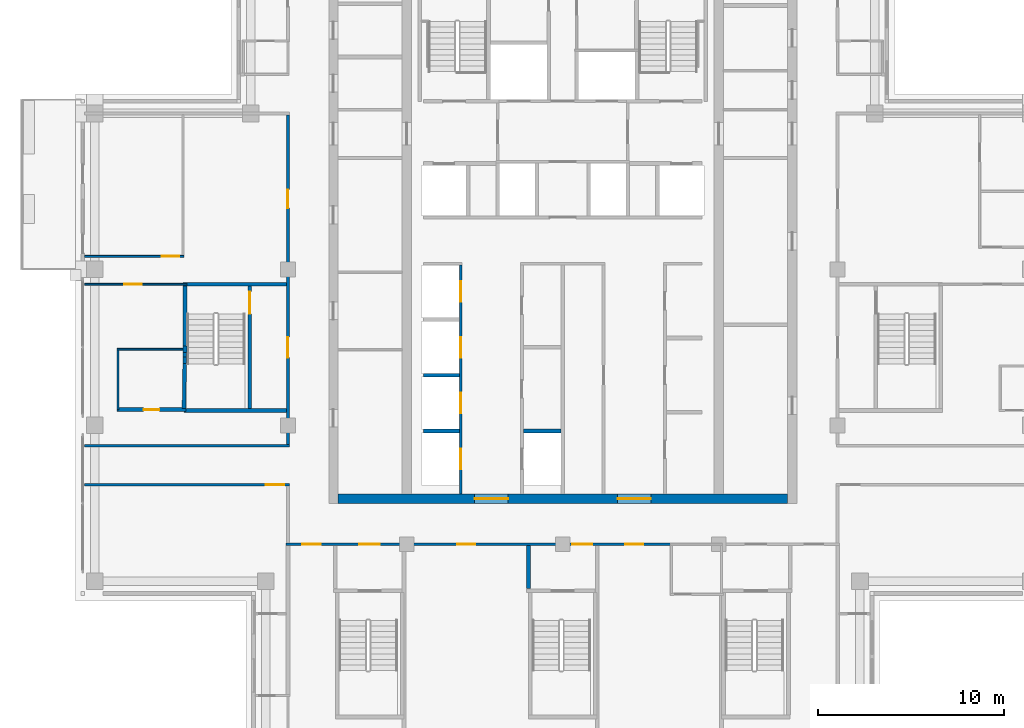
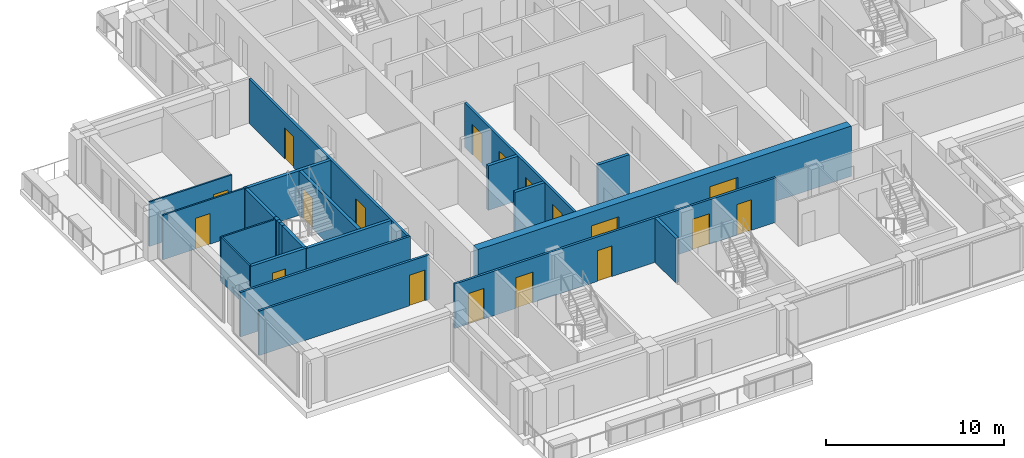
# One storey, part 7 of 15: 23 walls, 18 doors, 18 openings.
"""IFC4 building model written with IfcOpenShell, lengths in metres."""

from ifc_helpers import new_model, si_unit, direction, frame, frame_2d, origin, place, context, subcontext, project, spatial, rectangle, extrude, material, layer, layer_set, type_object, element, fill, save


model = new_model("IFC4")

# Units and contexts
model_context = context("Model", 3, precision=1e-05, world=origin(), true_north=direction((0.0, 1.0)))
body_context = subcontext(model_context, "Body", "Model", "MODEL_VIEW")
ifc_project = project(units=[si_unit("LENGTHUNIT", "METRE"), si_unit("AREAUNIT", "SQUARE_METRE"), si_unit("VOLUMEUNIT", "CUBIC_METRE"), si_unit("PLANEANGLEUNIT", "RADIAN"), si_unit("MASSUNIT", "GRAM", prefix="KILO")], contexts=[model_context])

# Site, building, storey
site_placement = place(None, origin())
site = spatial("IfcSite", under=ifc_project, at=site_placement, CompositionType="ELEMENT")
building_placement = place(site_placement, origin())
building = spatial("IfcBuilding", under=site, at=building_placement, Name="Vermilion Ogive Tower", CompositionType="ELEMENT")
storey_placement = place(building_placement, frame((0.0, 0.0, 237.25)))
storey = spatial("IfcBuildingStorey", under=building, at=storey_placement, Name="L62", CompositionType="ELEMENT", Elevation=237.25)

# Wall, openings, doors
ifc_material_1 = material(Name="Concrete B60", Category="concrete")
ifc_layer_1 = layer(ifc_material_1, 0.5)
ifc_layer_set_1 = layer_set([ifc_layer_1], Name="Core wall 500 B60")
wall_type_1 = type_object("IfcWallType", Name="Core wall 500 B60", PredefinedType="SHEAR", material=ifc_layer_set_1)
wall_1_placement = place(storey_placement, frame((-12.10009765625, -8.14990234375, -0.39990234375), z_axis=(0.0, 0.0, 1.0), x_axis=(1.0, 0.0, 0.0)))
wall_1 = element("IfcWall", 1, at=wall_1_placement, inside=storey, type_object=wall_type_1, Name="L62-CORE-S", PredefinedType="SHEAR", context=body_context, shape_type="SweptSolid", body=[
    extrude(rectangle(XDim=24.2001953125, YDim=0.5, at=frame_2d((12.10009765625, 0.0))), origin(), (0.0, 0.0, 1.0), 3.449951171875),
])
opening_1_placement = place(wall_1_placement, frame((7.35009765625, 0.0, 0.39990234375)))
opening_1 = element("IfcOpeningElement", 2, at=opening_1_placement, cuts=wall_1, Name="Opening DAH049", PredefinedType="OPENING", context=body_context, shape_type="SweptSolid", body=[
    extrude(rectangle(XDim=1.800048828125, YDim=2.10009765625, at=frame_2d((0.89990234375, 1.050048828125))), frame((0.0, 0.260009765625, 0.0), z_axis=(0.0, -1.0, 0.0), x_axis=(1.0, 0.0, 0.0)), (0.0, 0.0, 1.0), 0.52001953125),
])
opening_2_placement = place(wall_1_placement, frame((15.050048828125, 0.0, 0.39990234375)))
opening_2 = element("IfcOpeningElement", 3, at=opening_2_placement, cuts=wall_1, Name="Opening DAH050", PredefinedType="OPENING", context=body_context, shape_type="SweptSolid", body=[
    extrude(rectangle(XDim=1.800048828125, YDim=2.10009765625, at=frame_2d((0.89990234375, 1.050048828125))), frame((0.0, 0.260009765625, 0.0), z_axis=(0.0, -1.0, 0.0), x_axis=(1.0, 0.0, 0.0)), (0.0, 0.0, 1.0), 0.52001953125),
])
ifc_material_2 = material(Name="Timber door leaf", Category="wood")
door_type_1 = type_object("IfcDoorType", Name="Core entry door 1800 x 2100 FD60S", OperationType="DOUBLE_DOOR_SINGLE_SWING", PredefinedType="DOOR", material=ifc_material_2)
door_1_placement = place(opening_1_placement, origin())
door_1 = element("IfcDoor", 4, at=door_1_placement, inside=storey, type_object=door_type_1, Name="L62-CK-XD1", OperationType="SINGLE_SWING_LEFT", OverallHeight=2.10009765625, OverallWidth=1.800048828125, PredefinedType="DOOR", context=body_context, shape_type="SweptSolid", body=[
    extrude(rectangle(XDim=1.800048828125, YDim=2.10009765625, at=frame_2d((0.89990234375, 1.050048828125))), frame((0.0, 0.02490234375, 0.0), z_axis=(0.0, -1.0, 0.0), x_axis=(1.0, 0.0, 0.0)), (0.0, 0.0, 1.0), 0.050048828125),
])
fill(opening_1, door_1)
door_2_placement = place(opening_2_placement, origin())
door_2 = element("IfcDoor", 5, at=door_2_placement, inside=storey, type_object=door_type_1, Name="L62-CK-XD2", OperationType="SINGLE_SWING_LEFT", OverallHeight=2.10009765625, OverallWidth=1.800048828125, PredefinedType="DOOR", context=body_context, shape_type="SweptSolid", body=[
    extrude(rectangle(XDim=1.800048828125, YDim=2.10009765625, at=frame_2d((0.89990234375, 1.050048828125))), frame((0.0, 0.02490234375, 0.0), z_axis=(0.0, -1.0, 0.0), x_axis=(1.0, 0.0, 0.0)), (0.0, 0.0, 1.0), 0.050048828125),
])
fill(opening_2, door_2)

# Walls
ifc_material_3 = material(Name="Gypsum board partition on steel studs", Category="steel")
ifc_layer_2 = layer(ifc_material_3, 0.10009765625)
ifc_layer_set_2 = layer_set([ifc_layer_2], Name="Partition 100 bath")
wall_type_2 = type_object("IfcWallType", Name="Partition 100 bath", PredefinedType="PARTITIONING", material=ifc_layer_set_2)
wall_2_placement = place(storey_placement, frame((-23.998046875, -0.10009765625, 0.0), z_axis=(0.0, 0.0, 1.0), x_axis=(1.0, 0.0, 0.0)))
element("IfcWall", 6, at=wall_2_placement, inside=storey, type_object=wall_type_2, Name="L62-W-W024", PredefinedType="PARTITIONING", context=body_context, shape_type="SweptSolid", body=[
    extrude(rectangle(XDim=3.548095703125, YDim=0.10009765625, at=frame_2d((1.77392578125, 0.0))), origin(), (0.0, 0.0, 1.0), 3.050048828125),
])
wall_3_placement = place(storey_placement, frame((-23.949951171875, -3.347900390625, 0.0), z_axis=(0.0, 0.0, 1.0), x_axis=(0.0, 1.0, 0.0)))
element("IfcWall", 7, at=wall_3_placement, inside=storey, type_object=wall_type_2, Name="L62-W-W040", PredefinedType="PARTITIONING", context=body_context, shape_type="SweptSolid", body=[
    extrude(rectangle(XDim=3.19580078125, YDim=0.10009765625, at=frame_2d((1.597900390625, 0.0))), origin(), (0.0, 0.0, 1.0), 3.050048828125),
])

# Wall, opening, door
ifc_material_4 = material(Name="Gypsum board partition on steel studs", Category="steel")
ifc_layer_3 = layer(ifc_material_4, 0.10009765625)
ifc_layer_set_3 = layer_set([ifc_layer_3], Name="Partition 100 inner")
wall_type_3 = type_object("IfcWallType", Name="Partition 100 inner", PredefinedType="PARTITIONING", material=ifc_layer_set_3)
wall_4_placement = place(storey_placement, frame((-25.75, 3.39990234375, 0.0), z_axis=(0.0, 0.0, 1.0), x_axis=(1.0, 0.0, 0.0)))
wall_4 = element("IfcWall", 8, at=wall_4_placement, inside=storey, type_object=wall_type_3, Name="L62-W-W025", PredefinedType="PARTITIONING", context=body_context, shape_type="SweptSolid", body=[
    extrude(rectangle(XDim=5.5, YDim=0.10009765625, at=frame_2d((2.75, 0.0))), origin(), (0.0, 0.0, 1.0), 3.050048828125),
])
opening_3_placement = place(wall_4_placement, frame((2.125, 0.0, 0.0)))
opening_3 = element("IfcOpeningElement", 9, at=opening_3_placement, cuts=wall_4, Name="Opening D5G2006", PredefinedType="OPENING", context=body_context, shape_type="SweptSolid", body=[
    extrude(rectangle(XDim=0.949951171875, YDim=2.10009765625, at=frame_2d((0.47509765625, 1.050048828125))), frame((0.0, 0.06005859375, 0.0), z_axis=(0.0, -1.0, 0.0), x_axis=(1.0, 0.0, 0.0)), (0.0, 0.0, 1.0), 0.1201171875),
])
ifc_material_5 = material(Name="Timber door leaf", Category="wood")
door_type_2 = type_object("IfcDoorType", Name="Inner door 950 x 2100 FD30", OperationType="SINGLE_SWING_LEFT", PredefinedType="DOOR", material=ifc_material_5)
door_3_placement = place(opening_3_placement, origin())
door_3 = element("IfcDoor", 10, at=door_3_placement, inside=storey, type_object=door_type_2, Name="L62-D-D006", OperationType="SINGLE_SWING_LEFT", OverallHeight=2.10009765625, OverallWidth=0.949951171875, PredefinedType="DOOR", context=body_context, shape_type="SweptSolid", body=[
    extrude(rectangle(XDim=0.949951171875, YDim=2.10009765625, at=frame_2d((0.47509765625, 1.050048828125))), frame((0.0, 0.02490234375, 0.0), z_axis=(0.0, -1.0, 0.0), x_axis=(1.0, 0.0, 0.0)), (0.0, 0.0, 1.0), 0.050048828125),
])
fill(opening_3, door_3)

wall_5_placement = place(storey_placement, frame((-25.75, 4.89990234375, 0.0), z_axis=(0.0, 0.0, 1.0), x_axis=(1.0, 0.0, 0.0)))
wall_5 = element("IfcWall", 11, at=wall_5_placement, inside=storey, type_object=wall_type_3, Name="L62-W-W029", PredefinedType="PARTITIONING", context=body_context, shape_type="SweptSolid", body=[
    extrude(rectangle(XDim=5.35009765625, YDim=0.10009765625, at=frame_2d((2.675048828125, 0.0))), origin(), (0.0, 0.0, 1.0), 3.050048828125),
])
opening_4_placement = place(wall_5_placement, frame((4.14990234375, 0.0, 0.0)))
opening_4 = element("IfcOpeningElement", 12, at=opening_4_placement, cuts=wall_5, Name="Opening D5G2004", PredefinedType="OPENING", context=body_context, shape_type="SweptSolid", body=[
    extrude(rectangle(XDim=0.949951171875, YDim=2.10009765625, at=frame_2d((0.47509765625, 1.050048828125))), frame((0.0, 0.06005859375, 0.0), z_axis=(0.0, -1.0, 0.0), x_axis=(1.0, 0.0, 0.0)), (0.0, 0.0, 1.0), 0.1201171875),
])
door_4_placement = place(opening_4_placement, origin())
door_4 = element("IfcDoor", 13, at=door_4_placement, inside=storey, type_object=door_type_2, Name="L62-D-D004", OperationType="SINGLE_SWING_LEFT", OverallHeight=2.10009765625, OverallWidth=0.949951171875, PredefinedType="DOOR", context=body_context, shape_type="SweptSolid", body=[
    extrude(rectangle(XDim=0.949951171875, YDim=2.10009765625, at=frame_2d((0.47509765625, 1.050048828125))), frame((0.0, 0.02490234375, 0.0), z_axis=(0.0, -1.0, 0.0), x_axis=(1.0, 0.0, 0.0)), (0.0, 0.0, 1.0), 0.050048828125),
])
fill(opening_4, door_4)

# Wall, openings, doors
ifc_material_6 = material(Name="Gypsum board partition on steel studs", Category="steel")
ifc_layer_4 = layer(ifc_material_6, 0.14990234375)
ifc_layer_set_4 = layer_set([ifc_layer_4], Name="Partition 150 corridor")
wall_type_4 = type_object("IfcWallType", Name="Partition 150 corridor", PredefinedType="PARTITIONING", material=ifc_layer_set_4)
wall_6_placement = place(storey_placement, frame((-14.89990234375, -10.60009765625, 0.0), z_axis=(0.0, 0.0, 1.0), x_axis=(1.0, 0.0, 0.0)))
wall_6 = element("IfcWall", 14, at=wall_6_placement, inside=storey, type_object=wall_type_4, Name="L62-W-W012", PredefinedType="PARTITIONING", context=body_context, shape_type="SweptSolid", body=[
    extrude(rectangle(XDim=20.7998046875, YDim=0.14990234375, at=frame_2d((10.39990234375, 0.0))), origin(), (0.0, 0.0, 1.0), 3.050048828125),
])
opening_5_placement = place(wall_6_placement, frame((9.224853515625, 0.0, 0.0)))
opening_5 = element("IfcOpeningElement", 15, at=opening_5_placement, cuts=wall_6, Name="Opening D5G2010", PredefinedType="OPENING", context=body_context, shape_type="SweptSolid", body=[
    extrude(rectangle(XDim=0.949951171875, YDim=2.10009765625, at=frame_2d((0.47509765625, 1.050048828125))), frame((0.0, 0.0849609375, 0.0), z_axis=(0.0, -1.0, 0.0), x_axis=(1.0, 0.0, 0.0)), (0.0, 0.0, 1.0), 0.169921875),
])
opening_6_placement = place(wall_6_placement, frame((18.27490234375, 0.0, 0.0)))
opening_6 = element("IfcOpeningElement", 16, at=opening_6_placement, cuts=wall_6, Name="Opening D5G2011", PredefinedType="OPENING", context=body_context, shape_type="SweptSolid", body=[
    extrude(rectangle(XDim=0.949951171875, YDim=2.10009765625, at=frame_2d((0.47509765625, 1.050048828125))), frame((0.0, 0.0849609375, 0.0), z_axis=(0.0, -1.0, 0.0), x_axis=(1.0, 0.0, 0.0)), (0.0, 0.0, 1.0), 0.169921875),
])
opening_7_placement = place(wall_6_placement, frame((3.949951171875, 0.0, 0.0)))
opening_7 = element("IfcOpeningElement", 17, at=opening_7_placement, cuts=wall_6, Name="Opening D5G2023", PredefinedType="OPENING", context=body_context, shape_type="SweptSolid", body=[
    extrude(rectangle(XDim=1.10009765625, YDim=2.10009765625, at=frame_2d((0.550048828125, 1.050048828125))), frame((0.0, 0.0849609375, 0.0), z_axis=(0.0, -1.0, 0.0), x_axis=(1.0, 0.0, 0.0)), (0.0, 0.0, 1.0), 0.169921875),
])
opening_8_placement = place(wall_6_placement, frame((15.39990234375, 0.0, 0.0)))
opening_8 = element("IfcOpeningElement", 18, at=opening_8_placement, cuts=wall_6, Name="Opening D5G2025", PredefinedType="OPENING", context=body_context, shape_type="SweptSolid", body=[
    extrude(rectangle(XDim=1.10009765625, YDim=2.10009765625, at=frame_2d((0.550048828125, 1.050048828125))), frame((0.0, 0.0849609375, 0.0), z_axis=(0.0, -1.0, 0.0), x_axis=(1.0, 0.0, 0.0)), (0.0, 0.0, 1.0), 0.169921875),
])
opening_9_placement = place(wall_6_placement, frame((0.875, 0.0, 0.0)))
opening_9 = element("IfcOpeningElement", 19, at=opening_9_placement, cuts=wall_6, Name="Opening D5G2033", PredefinedType="OPENING", context=body_context, shape_type="SweptSolid", body=[
    extrude(rectangle(XDim=1.0, YDim=2.10009765625, at=frame_2d((0.5, 1.050048828125))), frame((0.0, 0.0849609375, 0.0), z_axis=(0.0, -1.0, 0.0), x_axis=(1.0, 0.0, 0.0)), (0.0, 0.0, 1.0), 0.169921875),
])
ifc_material_7 = material(Name="Timber door leaf", Category="wood")
door_type_3 = type_object("IfcDoorType", Name="Stair door 1100 x 2100 FD60S", OperationType="SINGLE_SWING_LEFT", PredefinedType="DOOR", material=ifc_material_7)
door_5_placement = place(opening_7_placement, origin())
door_5 = element("IfcDoor", 20, at=door_5_placement, inside=storey, type_object=door_type_3, Name="L62-D-D023", OperationType="SINGLE_SWING_RIGHT", OverallHeight=2.10009765625, OverallWidth=1.10009765625, PredefinedType="DOOR", context=body_context, shape_type="SweptSolid", body=[
    extrude(rectangle(XDim=1.10009765625, YDim=2.10009765625, at=frame_2d((0.550048828125, 1.050048828125))), frame((0.0, 0.02490234375, 0.0), z_axis=(0.0, -1.0, 0.0), x_axis=(1.0, 0.0, 0.0)), (0.0, 0.0, 1.0), 0.050048828125),
])
fill(opening_7, door_5)
door_6_placement = place(opening_8_placement, origin())
door_6 = element("IfcDoor", 21, at=door_6_placement, inside=storey, type_object=door_type_3, Name="L62-D-D025", OperationType="SINGLE_SWING_LEFT", OverallHeight=2.10009765625, OverallWidth=1.10009765625, PredefinedType="DOOR", context=body_context, shape_type="SweptSolid", body=[
    extrude(rectangle(XDim=1.10009765625, YDim=2.10009765625, at=frame_2d((0.550048828125, 1.050048828125))), frame((0.0, 0.02490234375, 0.0), z_axis=(0.0, -1.0, 0.0), x_axis=(1.0, 0.0, 0.0)), (0.0, 0.0, 1.0), 0.050048828125),
])
fill(opening_8, door_6)
ifc_material_8 = material(Name="Timber door leaf", Category="wood")
door_type_4 = type_object("IfcDoorType", Name="Unit door 1000 x 2100 FD30S", OperationType="SINGLE_SWING_LEFT", PredefinedType="DOOR", material=ifc_material_8)
door_7_placement = place(opening_9_placement, origin())
door_7 = element("IfcDoor", 22, at=door_7_placement, inside=storey, type_object=door_type_4, Name="L62-D-D033", OperationType="SINGLE_SWING_RIGHT", OverallHeight=2.10009765625, OverallWidth=1.0, PredefinedType="DOOR", context=body_context, shape_type="SweptSolid", body=[
    extrude(rectangle(XDim=1.0, YDim=2.10009765625, at=frame_2d((0.5, 1.050048828125))), frame((0.0, 0.02490234375, 0.0), z_axis=(0.0, -1.0, 0.0), x_axis=(1.0, 0.0, 0.0)), (0.0, 0.0, 1.0), 0.050048828125),
])
fill(opening_9, door_7)
ifc_material_9 = material(Name="Timber door leaf", Category="wood")
door_type_5 = type_object("IfcDoorType", Name="Unit door 950 x 2100 FD30S", OperationType="SINGLE_SWING_LEFT", PredefinedType="DOOR", material=ifc_material_9)
door_8_placement = place(opening_5_placement, origin())
door_8 = element("IfcDoor", 23, at=door_8_placement, inside=storey, type_object=door_type_5, Name="L62-D-D010", OperationType="SINGLE_SWING_LEFT", OverallHeight=2.10009765625, OverallWidth=0.949951171875, PredefinedType="DOOR", context=body_context, shape_type="SweptSolid", body=[
    extrude(rectangle(XDim=0.949951171875, YDim=2.10009765625, at=frame_2d((0.47509765625, 1.050048828125))), frame((0.0, 0.02490234375, 0.0), z_axis=(0.0, -1.0, 0.0), x_axis=(1.0, 0.0, 0.0)), (0.0, 0.0, 1.0), 0.050048828125),
])
fill(opening_5, door_8)
door_9_placement = place(opening_6_placement, origin())
door_9 = element("IfcDoor", 24, at=door_9_placement, inside=storey, type_object=door_type_5, Name="L62-D-D011", OperationType="SINGLE_SWING_LEFT", OverallHeight=2.10009765625, OverallWidth=0.949951171875, PredefinedType="DOOR", context=body_context, shape_type="SweptSolid", body=[
    extrude(rectangle(XDim=0.949951171875, YDim=2.10009765625, at=frame_2d((0.47509765625, 1.050048828125))), frame((0.0, 0.02490234375, 0.0), z_axis=(0.0, -1.0, 0.0), x_axis=(1.0, 0.0, 0.0)), (0.0, 0.0, 1.0), 0.050048828125),
])
fill(opening_6, door_9)

# Wall, opening, door
wall_7_placement = place(storey_placement, frame((-25.75, -7.39990234375, 0.0), z_axis=(0.0, 0.0, 1.0), x_axis=(1.0, 0.0, 0.0)))
wall_7 = element("IfcWall", 25, at=wall_7_placement, inside=storey, type_object=wall_type_4, Name="L62-W-W015", PredefinedType="PARTITIONING", context=body_context, shape_type="SweptSolid", body=[
    extrude(rectangle(XDim=11.02490234375, YDim=0.14990234375, at=frame_2d((5.512451171875, 0.0))), origin(), (0.0, 0.0, 1.0), 3.050048828125),
])
opening_10_placement = place(wall_7_placement, frame((9.75, 0.0, 0.0)))
opening_10 = element("IfcOpeningElement", 26, at=opening_10_placement, cuts=wall_7, Name="Opening D5G2001", PredefinedType="OPENING", context=body_context, shape_type="SweptSolid", body=[
    extrude(rectangle(XDim=1.0, YDim=2.10009765625, at=frame_2d((0.5, 1.050048828125))), frame((0.0, 0.0849609375, 0.0), z_axis=(0.0, -1.0, 0.0), x_axis=(1.0, 0.0, 0.0)), (0.0, 0.0, 1.0), 0.169921875),
])
door_10_placement = place(opening_10_placement, origin())
door_10 = element("IfcDoor", 27, at=door_10_placement, inside=storey, type_object=door_type_4, Name="L62-D-D001", OperationType="SINGLE_SWING_RIGHT", OverallHeight=2.10009765625, OverallWidth=1.0, PredefinedType="DOOR", context=body_context, shape_type="SweptSolid", body=[
    extrude(rectangle(XDim=1.0, YDim=2.10009765625, at=frame_2d((0.5, 1.050048828125))), frame((0.0, 0.02490234375, 0.0), z_axis=(0.0, -1.0, 0.0), x_axis=(1.0, 0.0, 0.0)), (0.0, 0.0, 1.0), 0.050048828125),
])
fill(opening_10, door_10)

# Wall
wall_8_placement = place(storey_placement, frame((-25.75, -5.300048828125, 0.0), z_axis=(0.0, 0.0, 1.0), x_axis=(1.0, 0.0, 0.0)))
element("IfcWall", 28, at=wall_8_placement, inside=storey, type_object=wall_type_4, Name="L62-W-W017", PredefinedType="PARTITIONING", context=body_context, shape_type="SweptSolid", body=[
    extrude(rectangle(XDim=11.02294921875, YDim=0.14990234375, at=frame_2d((5.511474609375, 0.0))), origin(), (0.0, 0.0, 1.0), 3.050048828125),
])

# Wall, openings, doors
wall_9_placement = place(storey_placement, frame((-14.800048828125, -5.222900390625, 0.0), z_axis=(0.0, 0.0, 1.0), x_axis=(0.0, 1.0, 0.0)))
wall_9 = element("IfcWall", 29, at=wall_9_placement, inside=storey, type_object=wall_type_4, Name="L62-W-W049", PredefinedType="PARTITIONING", context=body_context, shape_type="SweptSolid", body=[
    extrude(rectangle(XDim=17.747802734375, YDim=0.14990234375, at=frame_2d((8.8740234375, 0.0))), origin(), (0.0, 0.0, 1.0), 3.050048828125),
])
opening_11_placement = place(wall_9_placement, frame((12.722900390625, 0.0, 0.0)))
opening_11 = element("IfcOpeningElement", 30, at=opening_11_placement, cuts=wall_9, Name="Opening D5G2005", PredefinedType="OPENING", context=body_context, shape_type="SweptSolid", body=[
    extrude(rectangle(XDim=1.0, YDim=2.10009765625, at=frame_2d((0.5, 1.050048828125))), frame((0.0, 0.0849609375, 0.0), z_axis=(0.0, -1.0, 0.0), x_axis=(1.0, 0.0, 0.0)), (0.0, 0.0, 1.0), 0.169921875),
])
opening_12_placement = place(wall_9_placement, frame((4.6728515625, 0.0, 0.0)))
opening_12 = element("IfcOpeningElement", 31, at=opening_12_placement, cuts=wall_9, Name="Opening D5G2031", PredefinedType="OPENING", context=body_context, shape_type="SweptSolid", body=[
    extrude(rectangle(XDim=1.10009765625, YDim=2.10009765625, at=frame_2d((0.550048828125, 1.050048828125))), frame((0.0, 0.0849609375, 0.0), z_axis=(0.0, -1.0, 0.0), x_axis=(1.0, 0.0, 0.0)), (0.0, 0.0, 1.0), 0.169921875),
])
door_11_placement = place(opening_12_placement, origin())
door_11 = element("IfcDoor", 32, at=door_11_placement, inside=storey, type_object=door_type_3, Name="L62-D-D031", OperationType="SINGLE_SWING_LEFT", OverallHeight=2.10009765625, OverallWidth=1.10009765625, PredefinedType="DOOR", context=body_context, shape_type="SweptSolid", body=[
    extrude(rectangle(XDim=1.10009765625, YDim=2.10009765625, at=frame_2d((0.550048828125, 1.050048828125))), frame((0.0, 0.02490234375, 0.0), z_axis=(0.0, -1.0, 0.0), x_axis=(1.0, 0.0, 0.0)), (0.0, 0.0, 1.0), 0.050048828125),
])
fill(opening_12, door_11)
door_12_placement = place(opening_11_placement, origin())
door_12 = element("IfcDoor", 33, at=door_12_placement, inside=storey, type_object=door_type_4, Name="L62-D-D005", OperationType="SINGLE_SWING_RIGHT", OverallHeight=2.10009765625, OverallWidth=1.0, PredefinedType="DOOR", context=body_context, shape_type="SweptSolid", body=[
    extrude(rectangle(XDim=1.0, YDim=2.10009765625, at=frame_2d((0.5, 1.050048828125))), frame((0.0, 0.02490234375, 0.0), z_axis=(0.0, -1.0, 0.0), x_axis=(1.0, 0.0, 0.0)), (0.0, 0.0, 1.0), 0.050048828125),
])
fill(opening_11, door_12)

wall_10_placement = place(storey_placement, frame((-5.5, -7.89892578125, 0.0), z_axis=(0.0, 0.0, 1.0), x_axis=(0.0, 1.0, 0.0)))
wall_10 = element("IfcWall", 34, at=wall_10_placement, inside=storey, type_object=wall_type_4, Name="L62-CK-W-W020", PredefinedType="PARTITIONING", context=body_context, shape_type="SweptSolid", body=[
    extrude(rectangle(XDim=12.323974609375, YDim=0.14990234375, at=frame_2d((6.162109375, 0.0))), origin(), (0.0, 0.0, 1.0), 3.050048828125),
])
opening_13_placement = place(wall_10_placement, frame((1.348876953125, 0.0, 0.0)))
opening_13 = element("IfcOpeningElement", 35, at=opening_13_placement, cuts=wall_10, Name="Opening DAA576", PredefinedType="OPENING", context=body_context, shape_type="SweptSolid", body=[
    extrude(rectangle(XDim=1.10009765625, YDim=2.10009765625, at=frame_2d((0.550048828125, 1.050048828125))), frame((0.0, 0.0849609375, 0.0), z_axis=(0.0, -1.0, 0.0), x_axis=(1.0, 0.0, 0.0)), (0.0, 0.0, 1.0), 0.169921875),
])
opening_14_placement = place(wall_10_placement, frame((4.348876953125, 0.0, 0.0)))
opening_14 = element("IfcOpeningElement", 36, at=opening_14_placement, cuts=wall_10, Name="Opening DAA577", PredefinedType="OPENING", context=body_context, shape_type="SweptSolid", body=[
    extrude(rectangle(XDim=1.10009765625, YDim=2.10009765625, at=frame_2d((0.550048828125, 1.050048828125))), frame((0.0, 0.0849609375, 0.0), z_axis=(0.0, -1.0, 0.0), x_axis=(1.0, 0.0, 0.0)), (0.0, 0.0, 1.0), 0.169921875),
])
opening_15_placement = place(wall_10_placement, frame((7.348876953125, 0.0, 0.0)))
opening_15 = element("IfcOpeningElement", 37, at=opening_15_placement, cuts=wall_10, Name="Opening DAA578", PredefinedType="OPENING", context=body_context, shape_type="SweptSolid", body=[
    extrude(rectangle(XDim=1.10009765625, YDim=2.10009765625, at=frame_2d((0.550048828125, 1.050048828125))), frame((0.0, 0.0849609375, 0.0), z_axis=(0.0, -1.0, 0.0), x_axis=(1.0, 0.0, 0.0)), (0.0, 0.0, 1.0), 0.169921875),
])
opening_16_placement = place(wall_10_placement, frame((10.348876953125, 0.0, 0.0)))
opening_16 = element("IfcOpeningElement", 38, at=opening_16_placement, cuts=wall_10, Name="Opening DAA579", PredefinedType="OPENING", context=body_context, shape_type="SweptSolid", body=[
    extrude(rectangle(XDim=1.10009765625, YDim=2.10009765625, at=frame_2d((0.550048828125, 1.050048828125))), frame((0.0, 0.0849609375, 0.0), z_axis=(0.0, -1.0, 0.0), x_axis=(1.0, 0.0, 0.0)), (0.0, 0.0, 1.0), 0.169921875),
])
ifc_material_10 = material(Name="Stainless steel", Category="steel")
door_type_6 = type_object("IfcDoorType", Name="Lift landing door 1100 x 2100", OperationType="SLIDING_TO_LEFT", PredefinedType="DOOR", material=ifc_material_10)
door_13_placement = place(opening_13_placement, origin())
door_13 = element("IfcDoor", 39, at=door_13_placement, inside=storey, type_object=door_type_6, Name="L62-CK-D-D001", OperationType="SLIDING_TO_LEFT", OverallHeight=2.10009765625, OverallWidth=1.10009765625, PredefinedType="DOOR", context=body_context, shape_type="SweptSolid", body=[
    extrude(rectangle(XDim=1.10009765625, YDim=2.10009765625, at=frame_2d((0.550048828125, 1.050048828125))), frame((0.0, 0.02490234375, 0.0), z_axis=(0.0, -1.0, 0.0), x_axis=(1.0, 0.0, 0.0)), (0.0, 0.0, 1.0), 0.050048828125),
])
fill(opening_13, door_13)
door_14_placement = place(opening_14_placement, origin())
door_14 = element("IfcDoor", 40, at=door_14_placement, inside=storey, type_object=door_type_6, Name="L62-CK-D-D002", OperationType="SLIDING_TO_LEFT", OverallHeight=2.10009765625, OverallWidth=1.10009765625, PredefinedType="DOOR", context=body_context, shape_type="SweptSolid", body=[
    extrude(rectangle(XDim=1.10009765625, YDim=2.10009765625, at=frame_2d((0.550048828125, 1.050048828125))), frame((0.0, 0.02490234375, 0.0), z_axis=(0.0, -1.0, 0.0), x_axis=(1.0, 0.0, 0.0)), (0.0, 0.0, 1.0), 0.050048828125),
])
fill(opening_14, door_14)
door_15_placement = place(opening_15_placement, origin())
door_15 = element("IfcDoor", 41, at=door_15_placement, inside=storey, type_object=door_type_6, Name="L62-CK-D-D003", OperationType="SLIDING_TO_LEFT", OverallHeight=2.10009765625, OverallWidth=1.10009765625, PredefinedType="DOOR", context=body_context, shape_type="SweptSolid", body=[
    extrude(rectangle(XDim=1.10009765625, YDim=2.10009765625, at=frame_2d((0.550048828125, 1.050048828125))), frame((0.0, 0.02490234375, 0.0), z_axis=(0.0, -1.0, 0.0), x_axis=(1.0, 0.0, 0.0)), (0.0, 0.0, 1.0), 0.050048828125),
])
fill(opening_15, door_15)
door_16_placement = place(opening_16_placement, origin())
door_16 = element("IfcDoor", 42, at=door_16_placement, inside=storey, type_object=door_type_6, Name="L62-CK-D-D004", OperationType="SLIDING_TO_LEFT", OverallHeight=2.10009765625, OverallWidth=1.10009765625, PredefinedType="DOOR", context=body_context, shape_type="SweptSolid", body=[
    extrude(rectangle(XDim=1.10009765625, YDim=2.10009765625, at=frame_2d((0.550048828125, 1.050048828125))), frame((0.0, 0.02490234375, 0.0), z_axis=(0.0, -1.0, 0.0), x_axis=(1.0, 0.0, 0.0)), (0.0, 0.0, 1.0), 0.050048828125),
])
fill(opening_16, door_16)

# Walls
ifc_material_11 = material(Name="Gypsum board partition on steel studs", Category="steel")
ifc_layer_5 = layer(ifc_material_11, 0.199951171875)
ifc_layer_set_5 = layer_set([ifc_layer_5], Name="Partition 200 party")
wall_type_5 = type_object("IfcWallType", Name="Partition 200 party", PredefinedType="PARTITIONING", material=ifc_layer_set_5)
wall_11_placement = place(storey_placement, frame((-1.85009765625, -12.998046875, 0.0), z_axis=(0.0, 0.0, 1.0), x_axis=(0.0, 1.0, 0.0)))
element("IfcWall", 43, at=wall_11_placement, inside=storey, type_object=wall_type_5, Name="L62-W-W056", PredefinedType="PARTITIONING", context=body_context, shape_type="SweptSolid", body=[
    extrude(rectangle(XDim=2.322998046875, YDim=0.199951171875, at=frame_2d((1.16162109375, 0.0))), origin(), (0.0, 0.0, 1.0), 3.050048828125),
])
wall_12_placement = place(storey_placement, frame((-7.5, -4.5, 0.0), z_axis=(0.0, 0.0, 1.0), x_axis=(1.0, 0.0, 0.0)))
element("IfcWall", 44, at=wall_12_placement, inside=storey, type_object=wall_type_5, Name="L62-CK-W-W001", PredefinedType="PARTITIONING", context=body_context, shape_type="SweptSolid", body=[
    extrude(rectangle(XDim=1.925048828125, YDim=0.199951171875, at=frame_2d((0.96240234375, 0.0))), origin(), (0.0, 0.0, 1.0), 3.050048828125),
])
wall_13_placement = place(storey_placement, frame((-2.125, -4.5, 0.0), z_axis=(0.0, 0.0, 1.0), x_axis=(1.0, 0.0, 0.0)))
element("IfcWall", 45, at=wall_13_placement, inside=storey, type_object=wall_type_5, Name="L62-CK-W-W002", PredefinedType="PARTITIONING", context=body_context, shape_type="SweptSolid", body=[
    extrude(rectangle(XDim=2.02490234375, YDim=0.199951171875, at=frame_2d((1.012451171875, 0.0))), origin(), (0.0, 0.0, 1.0), 3.050048828125),
])
wall_14_placement = place(storey_placement, frame((-7.5, -1.5, 0.0), z_axis=(0.0, 0.0, 1.0), x_axis=(1.0, 0.0, 0.0)))
element("IfcWall", 46, at=wall_14_placement, inside=storey, type_object=wall_type_5, Name="L62-CK-W-W004", PredefinedType="PARTITIONING", context=body_context, shape_type="SweptSolid", body=[
    extrude(rectangle(XDim=1.925048828125, YDim=0.199951171875, at=frame_2d((0.96240234375, 0.0))), origin(), (0.0, 0.0, 1.0), 3.050048828125),
])

# Wall, opening, door
ifc_material_12 = material(Name="Concrete B60", Category="concrete")
ifc_layer_6 = layer(ifc_material_12, 0.199951171875)
ifc_layer_set_6 = layer_set([ifc_layer_6], Name="Stair shaft wall 200 Concrete B60")
wall_type_6 = type_object("IfcWallType", Name="Stair shaft wall 200 Concrete B60", PredefinedType="SOLIDWALL", material=ifc_layer_set_6)
wall_15_placement = place(storey_placement, frame((-23.998046875, -3.349853515625, 0.0), z_axis=(0.0, 0.0, 1.0), x_axis=(1.0, 0.0, 0.0)))
wall_15 = element("IfcWall", 47, at=wall_15_placement, inside=storey, type_object=wall_type_6, Name="L62-W-W019", PredefinedType="SOLIDWALL", context=body_context, shape_type="SweptSolid", body=[
    extrude(rectangle(XDim=3.697998046875, YDim=0.199951171875, at=frame_2d((1.84912109375, 0.0))), origin(), (0.0, 0.0, 1.0), 3.050048828125),
])
opening_17_placement = place(wall_15_placement, frame((1.423095703125, 0.0, 0.0)))
opening_17 = element("IfcOpeningElement", 48, at=opening_17_placement, cuts=wall_15, Name="Opening D5G2007", PredefinedType="OPENING", context=body_context, shape_type="SweptSolid", body=[
    extrude(rectangle(XDim=0.85009765625, YDim=2.10009765625, at=frame_2d((0.425048828125, 1.050048828125))), frame((0.0, 0.10986328125, 0.0), z_axis=(0.0, -1.0, 0.0), x_axis=(1.0, 0.0, 0.0)), (0.0, 0.0, 1.0), 0.219970703125),
])
ifc_material_13 = material(Name="Timber door leaf", Category="wood")
door_type_7 = type_object("IfcDoorType", Name="Bath door 850 x 2100 FD30", OperationType="SINGLE_SWING_LEFT", PredefinedType="DOOR", material=ifc_material_13)
door_17_placement = place(opening_17_placement, origin())
door_17 = element("IfcDoor", 49, at=door_17_placement, inside=storey, type_object=door_type_7, Name="L62-D-D007", OperationType="SINGLE_SWING_LEFT", OverallHeight=2.10009765625, OverallWidth=0.85009765625, PredefinedType="DOOR", context=body_context, shape_type="SweptSolid", body=[
    extrude(rectangle(XDim=0.85009765625, YDim=2.10009765625, at=frame_2d((0.425048828125, 1.050048828125))), frame((0.0, 0.02490234375, 0.0), z_axis=(0.0, -1.0, 0.0), x_axis=(1.0, 0.0, 0.0)), (0.0, 0.0, 1.0), 0.050048828125),
])
fill(opening_17, door_17)

# Walls
wall_16_placement = place(storey_placement, frame((-20.39990234375, -3.39990234375, 0.0), z_axis=(0.0, 0.0, 1.0), x_axis=(1.0, 0.0, 0.0)))
element("IfcWall", 50, at=wall_16_placement, inside=storey, type_object=wall_type_6, Name="L62-W-W020", PredefinedType="SOLIDWALL", context=body_context, shape_type="SweptSolid", body=[
    extrude(rectangle(XDim=5.52294921875, YDim=0.199951171875, at=frame_2d((2.761474609375, 0.0))), origin(), (0.0, 0.0, 1.0), 3.050048828125),
])
wall_17_placement = place(storey_placement, frame((-20.449951171875, 3.39990234375, 0.0), z_axis=(0.0, 0.0, 1.0), x_axis=(1.0, 0.0, 0.0)))
element("IfcWall", 51, at=wall_17_placement, inside=storey, type_object=wall_type_6, Name="L62-W-W026", PredefinedType="SOLIDWALL", context=body_context, shape_type="SweptSolid", body=[
    extrude(rectangle(XDim=5.574951171875, YDim=0.199951171875, at=frame_2d((2.78759765625, 0.0))), origin(), (0.0, 0.0, 1.0), 3.050048828125),
])
wall_18_placement = place(storey_placement, frame((-20.36083984375, -0.8701171875, 0.0), z_axis=(0.0, 0.0, 1.0), x_axis=(0.015779957498, 0.999875488719, 0.0)))
element("IfcWall", 52, at=wall_18_placement, inside=storey, type_object=wall_type_6, Name="L62-W-W042", PredefinedType="SOLIDWALL", context=body_context, shape_type="SweptSolid", body=[
    extrude(rectangle(XDim=0.34033203125, YDim=0.199951171875, at=frame_2d((0.170166015625, 0.0))), origin(), (0.0, 0.0, 1.0), 3.050048828125),
])
wall_19_placement = place(storey_placement, frame((-20.35009765625, 0.070068359375, 0.0), z_axis=(0.0, 0.0, 1.0), x_axis=(0.0, 1.0, 0.0)))
element("IfcWall", 53, at=wall_19_placement, inside=storey, type_object=wall_type_6, Name="L62-W-W043", PredefinedType="SOLIDWALL", context=body_context, shape_type="SweptSolid", body=[
    extrude(rectangle(XDim=3.22998046875, YDim=0.199951171875, at=frame_2d((1.614990234375, 0.0))), origin(), (0.0, 0.0, 1.0), 3.050048828125),
])

# Wall, opening, door
wall_20_placement = place(storey_placement, frame((-16.85009765625, -3.300048828125, 0.0), z_axis=(0.0, 0.0, 1.0), x_axis=(0.0, 1.0, 0.0)))
wall_20 = element("IfcWall", 54, at=wall_20_placement, inside=storey, type_object=wall_type_6, Name="L62-W-W045", PredefinedType="SOLIDWALL", context=body_context, shape_type="SweptSolid", body=[
    extrude(rectangle(XDim=6.60009765625, YDim=0.199951171875, at=frame_2d((3.300048828125, 0.0))), origin(), (0.0, 0.0, 1.0), 3.050048828125),
])
opening_18_placement = place(wall_20_placement, frame((5.10009765625, 0.0, 0.0)))
opening_18 = element("IfcOpeningElement", 55, at=opening_18_placement, cuts=wall_20, Name="Opening D5G2032", PredefinedType="OPENING", context=body_context, shape_type="SweptSolid", body=[
    extrude(rectangle(XDim=1.199951171875, YDim=2.10009765625, at=frame_2d((0.60009765625, 1.050048828125))), frame((0.0, 0.10986328125, 0.0), z_axis=(0.0, -1.0, 0.0), x_axis=(1.0, 0.0, 0.0)), (0.0, 0.0, 1.0), 0.219970703125),
])
ifc_material_14 = material(Name="Timber door leaf", Category="wood")
door_type_8 = type_object("IfcDoorType", Name="Stair door 1200 x 2100 FD60S", OperationType="SINGLE_SWING_LEFT", PredefinedType="DOOR", material=ifc_material_14)
door_18_placement = place(opening_18_placement, origin())
door_18 = element("IfcDoor", 56, at=door_18_placement, inside=storey, type_object=door_type_8, Name="L62-D-D032", OperationType="SINGLE_SWING_RIGHT", OverallHeight=2.10009765625, OverallWidth=1.199951171875, PredefinedType="DOOR", context=body_context, shape_type="SweptSolid", body=[
    extrude(rectangle(XDim=1.199951171875, YDim=2.10009765625, at=frame_2d((0.60009765625, 1.050048828125))), frame((0.0, 0.02490234375, 0.0), z_axis=(0.0, -1.0, 0.0), x_axis=(1.0, 0.0, 0.0)), (0.0, 0.0, 1.0), 0.050048828125),
])
fill(opening_18, door_18)

# Walls
wall_21_placement = place(storey_placement, frame((-20.35009765625, -0.27001953125, 0.0), z_axis=(0.0, 0.0, 1.0), x_axis=(0.0, 1.0, 0.0)))
element("IfcWall", 57, at=wall_21_placement, inside=storey, type_object=wall_type_6, Name="L62-SW-ST9-W1", PredefinedType="SOLIDWALL", context=body_context, shape_type="SweptSolid", body=[
    extrude(rectangle(XDim=0.340087890625, YDim=0.199951171875, at=frame_2d((0.169921875, 0.0))), origin(), (0.0, 0.0, 1.0), 3.050048828125),
])
wall_22_placement = place(storey_placement, frame((-20.400146484375, -3.300048828125, 0.0), z_axis=(0.0, 0.0, 1.0), x_axis=(0.016173911403, 0.99986919374, 0.0)))
element("IfcWall", 58, at=wall_22_placement, inside=storey, type_object=wall_type_6, Name="L62-W-W042-A", PredefinedType="SOLIDWALL", context=body_context, shape_type="SweptSolid", body=[
    extrude(rectangle(XDim=2.43017578125, YDim=0.199951171875, at=frame_2d((1.215087890625, 0.0))), origin(), (0.0, 0.0, 1.0), 3.050048828125),
])
wall_23_placement = place(storey_placement, frame((-20.35546875, -0.52978515625, 0.0), z_axis=(0.0, 0.0, 1.0), x_axis=(0.015975404649, 0.99987238508, 0.0)))
element("IfcWall", 59, at=wall_23_placement, inside=storey, type_object=wall_type_6, Name="L62-W-W042-B", PredefinedType="SOLIDWALL", context=body_context, shape_type="SweptSolid", body=[
    extrude(rectangle(XDim=0.259765625, YDim=0.199951171875, at=frame_2d((0.1298828125, 0.0))), origin(), (0.0, 0.0, 1.0), 3.050048828125),
])

save(model, "model.ifc")
